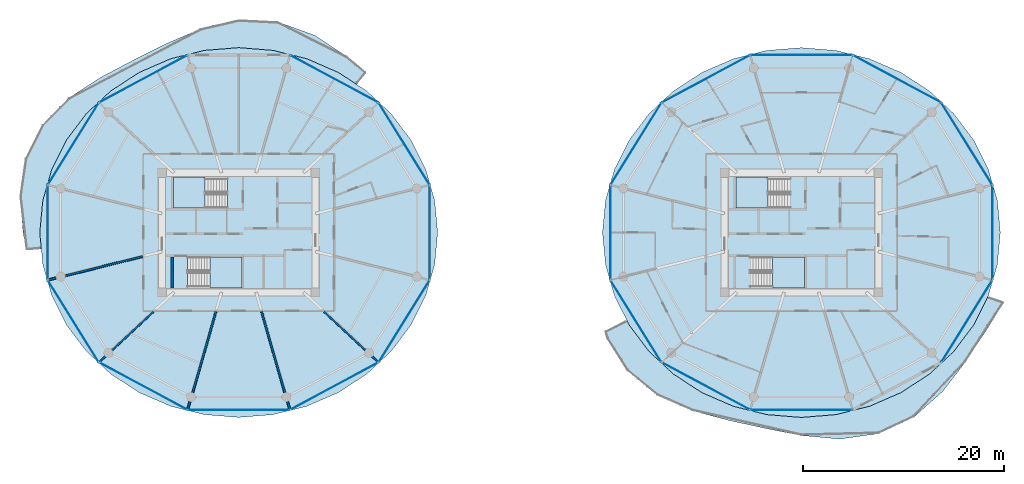
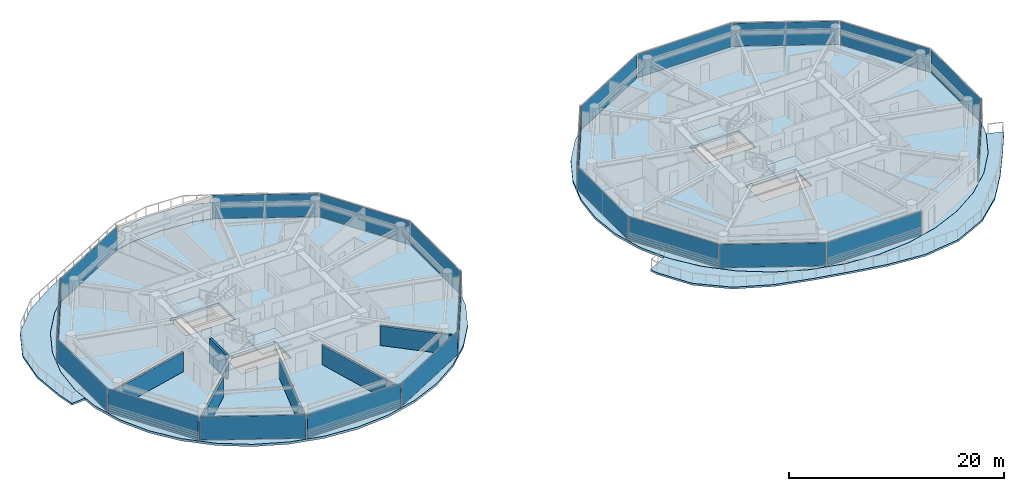
# One storey, part 14 of 26: 22 plates, 8 slabs, 6 walls, 26 elements without a shape of their own.
"""IFC4 building model written with IfcOpenShell, lengths in metres."""

from ifc_helpers import new_model, si_unit, direction, frame, frame_2d, origin, origin_2d, place, context, subcontext, project, spatial, polyline, rectangle, outline, extrude, source, transform, mapped, material, layer, layer_set, type_object, type_shapes, element, aggregate, save


model = new_model("IFC4")

# Units and contexts
model_context = context("Model", 3, precision=1e-05, world=origin(), true_north=direction((0.0, 1.0)))
body_context = subcontext(model_context, "Body", "Model", "MODEL_VIEW")
ifc_project = project(units=[si_unit("LENGTHUNIT", "METRE"), si_unit("AREAUNIT", "SQUARE_METRE"), si_unit("VOLUMEUNIT", "CUBIC_METRE"), si_unit("PLANEANGLEUNIT", "RADIAN"), si_unit("MASSUNIT", "GRAM", prefix="KILO")], contexts=[model_context])

# Site, building, storey
site_placement = place(None, origin())
site = spatial("IfcSite", under=ifc_project, at=site_placement, CompositionType="ELEMENT")
building_placement = place(site_placement, origin())
building = spatial("IfcBuilding", under=site, at=building_placement, Name="Norrkilde Senior Care Towers", CompositionType="ELEMENT")
storey_placement = place(building_placement, frame((0.0, 0.0, 24.64990234375)))
storey = spatial("IfcBuildingStorey", under=building, at=storey_placement, Name="L06", CompositionType="ELEMENT", Elevation=24.64990234375)

# Slabs
ifc_material_1 = material(Name="Concrete C50/60", Category="concrete")
ifc_layer_1 = layer(ifc_material_1, 0.215087890625)
ifc_layer_set_1 = layer_set([ifc_layer_1], Name="Concrete C50/60")
slab_type_1 = type_object("IfcSlabType", Name="Sinusoidal Balcony Ribbon Slab 215", PredefinedType="FLOOR", material=ifc_layer_set_1)
slab_1_placement = place(storey_placement, frame((0.0, 0.0, -0.21484375)))
element("IfcSlab", 1, at=slab_1_placement, inside=storey, type_object=slab_type_1, Name="L06 Drum W Swirling Senior Balcony 1", PredefinedType="FLOOR", context=body_context, shape_type="SweptSolid", body=[
    extrude(outline(polyline([(-49.771240234375, 3.626220703125), (-49.233154296875, 7.322265625), (-47.5537109375, 10.695068359375), (-44.9033203125, 13.39453125), (-41.767333984375, 15.42919921875), (-38.540283203125, 17.128173828125), (-35.274169921875, 18.775146484375), (-31.79052734375, 20.270751953125), (-28.0, 21.152099609375), (-24.096435546875, 20.95947265625), (-20.438232421875, 19.625244140625), (-17.244384765625, 17.529541015625), (-15.31298828125, 15.9228515625), (-16.255126953125, 14.740234375), (-18.097412109375, 15.939208984375), (-21.226318359375, 17.294921875), (-24.560791015625, 18.12548828125), (-28.0, 18.405029296875), (-31.439208984375, 18.12548828125), (-34.773681640625, 17.294921875), (-37.902587890625, 15.939208984375), (-40.73046875, 14.09912109375), (-43.171630859375, 11.83056640625), (-45.151611328125, 9.202392578125), (-46.610595703125, 6.294921875), (-47.504150390625, 3.196044921875), (-47.804931640625, 0.0), (-47.65185546875, -1.6259765625), (-49.1435546875, -1.74951171875), (-49.469482421875, 0.0), (-49.771240234375, 3.626220703125)])), origin(), (0.0, 0.0, 1.0), 0.21484375),
])
slab_2_placement = place(storey_placement, frame((0.0, 0.0, -0.21484375)))
element("IfcSlab", 2, at=slab_2_placement, inside=storey, type_object=slab_type_1, Name="L06 Drum E Swirling Senior Balcony 1", PredefinedType="FLOOR", context=body_context, shape_type="SweptSolid", body=[
    extrude(outline(polyline([(44.3310546875, -12.877685546875), (42.067138671875, -15.813720703125), (39.201171875, -18.35986328125), (35.69384765625, -20.015625), (31.836669921875, -20.552734375), (28.0, -20.209716796875), (24.338623046875, -19.482421875), (20.7529296875, -18.694580078125), (17.133544921875, -17.736083984375), (13.635009765625, -16.195556640625), (10.681396484375, -13.76953125), (8.66064453125, -10.561767578125), (8.442138671875, -9.834716796875), (10.616943359375, -8.7412109375), (10.848388671875, -9.202392578125), (12.828369140625, -11.83056640625), (15.26953125, -14.09912109375), (18.097412109375, -15.939208984375), (21.226318359375, -17.294921875), (24.560791015625, -18.12548828125), (28.0, -18.405029296875), (31.439208984375, -18.12548828125), (34.773681640625, -17.294921875), (37.902587890625, -15.939208984375), (40.73046875, -14.09912109375), (43.171630859375, -11.83056640625), (45.151611328125, -9.202392578125), (46.56298828125, -6.3896484375), (48.162109375, -6.940185546875), (46.297607421875, -9.91455078125), (44.3310546875, -12.877685546875)])), origin(), (0.0, 0.0, 1.0), 0.21484375),
])

# Stair, slab
ifc_material_2 = material(Name="Concrete C45/55", Category="concrete")
stair_type = type_object("IfcStairType", Name="Core Protected Dogleg Stair Typical 3050", PredefinedType="HALF_TURN_STAIR", material=ifc_material_2)
stair_1_placement = place(storey_placement, origin())
stair_1 = element("IfcStair", 3, at=stair_1_placement, inside=storey, type_object=stair_type, Name="L06 Protected Core Stair W1", PredefinedType="HALF_TURN_STAIR")
ifc_layer_2 = layer(ifc_material_2, 0.199951171875)
ifc_layer_set_2 = layer_set([ifc_layer_2], Name="Concrete C45/55")
slab_type_2 = type_object("IfcSlabType", Name="Stair Landing Slab 200", PredefinedType="LANDING", material=ifc_layer_set_2)
slab_3_placement = place(storey_placement, frame((0.0, 0.0, 1.3251953125)))
slab_3 = element("IfcSlab", 4, at=slab_3_placement, type_object=slab_type_2, Name="ST-W1 landing 1", PredefinedType="LANDING", context=body_context, shape_type="SweptSolid", body=[
    extrude(outline(polyline([(-31.340087890625, 5.52490234375), (-34.5, 5.52490234375), (-34.5, 2.449951171875), (-31.340087890625, 2.449951171875), (-31.340087890625, 5.52490234375)])), origin(), (0.0, 0.0, 1.0), 0.199951171875),
])
aggregate(stair_1, [slab_3])

stair_2_placement = place(storey_placement, origin())
stair_2 = element("IfcStair", 5, at=stair_2_placement, inside=storey, type_object=stair_type, Name="L06 Protected Core Stair W2", PredefinedType="HALF_TURN_STAIR")
slab_4_placement = place(storey_placement, frame((0.0, 0.0, 1.3251953125)))
slab_4 = element("IfcSlab", 6, at=slab_4_placement, type_object=slab_type_2, Name="ST-W2 landing 1", PredefinedType="LANDING", context=body_context, shape_type="SweptSolid", body=[
    extrude(outline(polyline([(-30.860107421875, -5.52490234375), (-27.699951171875, -5.52490234375), (-27.699951171875, -2.449951171875), (-30.860107421875, -2.449951171875), (-30.860107421875, -5.52490234375)])), origin(), (0.0, 0.0, 1.0), 0.199951171875),
])
aggregate(stair_2, [slab_4])

stair_3_placement = place(storey_placement, origin())
stair_3 = element("IfcStair", 7, at=stair_3_placement, inside=storey, type_object=stair_type, Name="L06 Protected Core Stair E1", PredefinedType="HALF_TURN_STAIR")
slab_5_placement = place(storey_placement, frame((0.0, 0.0, 1.3251953125)))
slab_5 = element("IfcSlab", 8, at=slab_5_placement, type_object=slab_type_2, Name="ST-E1 landing 1", PredefinedType="LANDING", context=body_context, shape_type="SweptSolid", body=[
    extrude(outline(polyline([(24.659912109375, 5.52490234375), (21.5, 5.52490234375), (21.5, 2.449951171875), (24.659912109375, 2.449951171875), (24.659912109375, 5.52490234375)])), origin(), (0.0, 0.0, 1.0), 0.199951171875),
])
aggregate(stair_3, [slab_5])

stair_4_placement = place(storey_placement, origin())
stair_4 = element("IfcStair", 9, at=stair_4_placement, inside=storey, type_object=stair_type, Name="L06 Protected Core Stair E2", PredefinedType="HALF_TURN_STAIR")
slab_6_placement = place(storey_placement, frame((0.0, 0.0, 1.3251953125)))
slab_6 = element("IfcSlab", 10, at=slab_6_placement, type_object=slab_type_2, Name="ST-E2 landing 1", PredefinedType="LANDING", context=body_context, shape_type="SweptSolid", body=[
    extrude(outline(polyline([(25.139892578125, -5.52490234375), (28.300048828125, -5.52490234375), (28.300048828125, -2.449951171875), (25.139892578125, -2.449951171875), (25.139892578125, -5.52490234375)])), origin(), (0.0, 0.0, 1.0), 0.199951171875),
])
aggregate(stair_4, [slab_6])

# Slabs
ifc_layer_3 = layer(ifc_material_1, 0.260009765625)
ifc_layer_set_3 = layer_set([ifc_layer_3], Name="Concrete C50/60")
slab_type_3 = type_object("IfcSlabType", Name="Tower Care Floor Slab 260", PredefinedType="FLOOR", material=ifc_layer_set_3)
slab_7_placement = place(storey_placement, frame((0.0, 0.0, -0.260009765625)))
element("IfcSlab", 11, at=slab_7_placement, inside=storey, type_object=slab_type_3, Name="L06 Drum W Structural Floor Slab", PredefinedType="FLOOR", context=body_context, shape_type="SweptSolid", body=[
    extrude(outline(polyline([(-9.39404296875, -6.293212890625), (-10.852783203125, -9.199951171875), (-12.832275390625, -11.827392578125), (-15.272705078125, -14.09521484375), (-18.10009765625, -15.934814453125), (-21.22802734375, -17.290283203125), (-24.561767578125, -18.120361328125), (-28.0, -18.39990234375), (-31.438232421875, -18.120361328125), (-34.77197265625, -17.290283203125), (-37.89990234375, -15.934814453125), (-40.727294921875, -14.09521484375), (-43.167724609375, -11.827392578125), (-45.147216796875, -9.199951171875), (-46.60595703125, -6.293212890625), (-47.499267578125, -3.195068359375), (-47.800048828125, 0.0), (-47.499267578125, 3.195068359375), (-46.60595703125, 6.293212890625), (-45.147216796875, 9.199951171875), (-43.167724609375, 11.827392578125), (-40.727294921875, 14.09521484375), (-37.89990234375, 15.934814453125), (-34.77197265625, 17.290283203125), (-31.438232421875, 18.120361328125), (-28.0, 18.39990234375), (-24.561767578125, 18.120361328125), (-21.22802734375, 17.290283203125), (-18.10009765625, 15.934814453125), (-15.272705078125, 14.09521484375), (-12.832275390625, 11.827392578125), (-10.852783203125, 9.199951171875), (-9.39404296875, 6.293212890625), (-8.500732421875, 3.195068359375), (-8.199951171875, 0.0), (-8.500732421875, -3.195068359375), (-9.39404296875, -6.293212890625)]), holes=[polyline([(-34.48193359375, 2.468017578125), (-29.117919921875, 2.468017578125), (-29.117919921875, 5.52490234375), (-34.48193359375, 5.52490234375), (-34.48193359375, 2.468017578125)]), polyline([(-27.718017578125, -5.52490234375), (-27.718017578125, -2.468017578125), (-33.08203125, -2.468017578125), (-33.08203125, -5.52490234375), (-27.718017578125, -5.52490234375)])]), origin(), (0.0, 0.0, 1.0), 0.260009765625),
])
slab_8_placement = place(storey_placement, frame((0.0, 0.0, -0.260009765625)))
element("IfcSlab", 12, at=slab_8_placement, inside=storey, type_object=slab_type_3, Name="L06 Drum E Structural Floor Slab", PredefinedType="FLOOR", context=body_context, shape_type="SweptSolid", body=[
    extrude(outline(polyline([(46.60595703125, -6.293212890625), (45.147216796875, -9.199951171875), (43.167724609375, -11.827392578125), (40.727294921875, -14.09521484375), (37.89990234375, -15.934814453125), (34.77197265625, -17.290283203125), (31.438232421875, -18.120361328125), (28.0, -18.39990234375), (24.561767578125, -18.120361328125), (21.22802734375, -17.290283203125), (18.10009765625, -15.934814453125), (15.272705078125, -14.09521484375), (12.832275390625, -11.827392578125), (10.852783203125, -9.199951171875), (9.39404296875, -6.293212890625), (8.500732421875, -3.195068359375), (8.199951171875, 0.0), (8.500732421875, 3.195068359375), (9.39404296875, 6.293212890625), (10.852783203125, 9.199951171875), (12.832275390625, 11.827392578125), (15.272705078125, 14.09521484375), (18.10009765625, 15.934814453125), (21.22802734375, 17.290283203125), (24.561767578125, 18.120361328125), (28.0, 18.39990234375), (31.438232421875, 18.120361328125), (34.77197265625, 17.290283203125), (37.89990234375, 15.934814453125), (40.727294921875, 14.09521484375), (43.167724609375, 11.827392578125), (45.147216796875, 9.199951171875), (46.60595703125, 6.293212890625), (47.499267578125, 3.195068359375), (47.800048828125, 0.0), (47.499267578125, -3.195068359375), (46.60595703125, -6.293212890625)]), holes=[polyline([(21.51806640625, 2.468017578125), (26.882080078125, 2.468017578125), (26.882080078125, 5.52490234375), (21.51806640625, 5.52490234375), (21.51806640625, 2.468017578125)]), polyline([(28.281982421875, -5.52490234375), (28.281982421875, -2.468017578125), (22.91796875, -2.468017578125), (22.91796875, -5.52490234375), (28.281982421875, -5.52490234375)])]), origin(), (0.0, 0.0, 1.0), 0.260009765625),
])

# Curtain wall, plate
ifc_material_3 = material(Name="Triple Low-E Insulated Glazing", Category="glass")
ifc_layer_4 = layer(ifc_material_3, 0.199951171875)
ifc_layer_set_4 = layer_set([ifc_layer_4], Name="Triple Low-E Insulated Glazing")
curtain_wall_type = type_object("IfcCurtainWallType", Name="CW2 Zone 1 Memory Care Curtain Wall", PredefinedType="NOTDEFINED", material=ifc_layer_set_4)
curtain_wall_1_placement = place(storey_placement, origin())
curtain_wall_1 = element("IfcCurtainWall", 13, at=curtain_wall_1_placement, inside=storey, type_object=curtain_wall_type, Name="L06 Drum W Curtain Wall 00", PredefinedType="NOTDEFINED")
ifc_layer_5 = layer(ifc_material_3, 0.035888671875)
ifc_layer_set_5 = layer_set([ifc_layer_5], Name="Triple Low-E Insulated Glazing")
plate_type = type_object("IfcPlateType", Name="Triple Low-E Vision Curtain Panel 36", PredefinedType="CURTAIN_PANEL", material=ifc_layer_set_5)
shared_shape_1 = source(origin(), body_context, "Body", "SweptSolid", [
    extrude(rectangle(XDim=9.518798828125, YDim=0.035888671875, at=origin_2d()), origin(), (0.0, 0.0, 1.0), 2.669921875),
])
plate_1_placement = place(storey_placement, frame((-11.537353515625, 8.82861328125, 0.06005859375), z_axis=(0.0, 0.0, 1.0), x_axis=(0.527900951871, -0.849305943117, 0.0)))
plate_1 = element("IfcPlate", 14, at=plate_1_placement, type_object=plate_type, Name="CW-2 panel 1.1", PredefinedType="CURTAIN_PANEL", context=body_context, shape_type="MappedRepresentation", body=[
    mapped(shared_shape_1, transform((0.0, 0.0, 0.0), x_axis=(1.0, 0.0, 0.0), y_axis=(0.0, 1.0, 0.0), z_axis=(0.0, 0.0, 1.0), scale=1.0)),
])
aggregate(curtain_wall_1, [plate_1])

curtain_wall_2_placement = place(storey_placement, origin())
curtain_wall_2 = element("IfcCurtainWall", 15, at=curtain_wall_2_placement, inside=storey, type_object=curtain_wall_type, Name="L06 Drum W Curtain Wall 04", PredefinedType="NOTDEFINED")
plate_2_placement = place(storey_placement, frame((-44.462646484375, 8.82861328125, 0.06005859375), z_axis=(0.0, 0.0, 1.0), x_axis=(0.527900951871, 0.849305943117, 0.0)))
plate_2 = element("IfcPlate", 16, at=plate_2_placement, type_object=plate_type, Name="CW-2 panel 1.1", PredefinedType="CURTAIN_PANEL", context=body_context, shape_type="MappedRepresentation", body=[
    mapped(shared_shape_1, transform((0.0, 0.0, 0.0), x_axis=(1.0, 0.0, 0.0), y_axis=(0.0, 1.0, 0.0), z_axis=(0.0, 0.0, 1.0), scale=1.0)),
])
aggregate(curtain_wall_2, [plate_2])

curtain_wall_3_placement = place(storey_placement, origin())
curtain_wall_3 = element("IfcCurtainWall", 17, at=curtain_wall_3_placement, inside=storey, type_object=curtain_wall_type, Name="L06 Drum W Curtain Wall 06", PredefinedType="NOTDEFINED")
plate_3_placement = place(storey_placement, frame((-44.462646484375, -8.82861328125, 0.06005859375), z_axis=(0.0, 0.0, 1.0), x_axis=(-0.527900951871, 0.849305943117, 0.0)))
plate_3 = element("IfcPlate", 18, at=plate_3_placement, type_object=plate_type, Name="CW-2 panel 1.1", PredefinedType="CURTAIN_PANEL", context=body_context, shape_type="MappedRepresentation", body=[
    mapped(shared_shape_1, transform((0.0, 0.0, 0.0), x_axis=(1.0, 0.0, 0.0), y_axis=(0.0, 1.0, 0.0), z_axis=(0.0, 0.0, 1.0), scale=1.0)),
])
aggregate(curtain_wall_3, [plate_3])

curtain_wall_4_placement = place(storey_placement, origin())
curtain_wall_4 = element("IfcCurtainWall", 19, at=curtain_wall_4_placement, inside=storey, type_object=curtain_wall_type, Name="L06 Drum W Curtain Wall 10", PredefinedType="NOTDEFINED")
plate_4_placement = place(storey_placement, frame((-11.537353515625, -8.82861328125, 0.06005859375), z_axis=(0.0, 0.0, 1.0), x_axis=(-0.527900951871, -0.849305943117, 0.0)))
plate_4 = element("IfcPlate", 20, at=plate_4_placement, type_object=plate_type, Name="CW-2 panel 1.1", PredefinedType="CURTAIN_PANEL", context=body_context, shape_type="MappedRepresentation", body=[
    mapped(shared_shape_1, transform((0.0, 0.0, 0.0), x_axis=(1.0, 0.0, 0.0), y_axis=(0.0, 1.0, 0.0), z_axis=(0.0, 0.0, 1.0), scale=1.0)),
])
aggregate(curtain_wall_4, [plate_4])

curtain_wall_5_placement = place(storey_placement, origin())
curtain_wall_5 = element("IfcCurtainWall", 21, at=curtain_wall_5_placement, inside=storey, type_object=curtain_wall_type, Name="L06 Drum E Curtain Wall 00", PredefinedType="NOTDEFINED")
plate_5_placement = place(storey_placement, frame((44.462646484375, 8.82861328125, 0.06005859375), z_axis=(0.0, 0.0, 1.0), x_axis=(0.527900951871, -0.849305943117, 0.0)))
plate_5 = element("IfcPlate", 22, at=plate_5_placement, type_object=plate_type, Name="CW-2 panel 1.1", PredefinedType="CURTAIN_PANEL", context=body_context, shape_type="MappedRepresentation", body=[
    mapped(shared_shape_1, transform((0.0, 0.0, 0.0), x_axis=(1.0, 0.0, 0.0), y_axis=(0.0, 1.0, 0.0), z_axis=(0.0, 0.0, 1.0), scale=1.0)),
])
aggregate(curtain_wall_5, [plate_5])

curtain_wall_6_placement = place(storey_placement, origin())
curtain_wall_6 = element("IfcCurtainWall", 23, at=curtain_wall_6_placement, inside=storey, type_object=curtain_wall_type, Name="L06 Drum E Curtain Wall 04", PredefinedType="NOTDEFINED")
plate_6_placement = place(storey_placement, frame((11.537353515625, 8.82861328125, 0.06005859375), z_axis=(0.0, 0.0, 1.0), x_axis=(0.527900951871, 0.849305943117, 0.0)))
plate_6 = element("IfcPlate", 24, at=plate_6_placement, type_object=plate_type, Name="CW-2 panel 1.1", PredefinedType="CURTAIN_PANEL", context=body_context, shape_type="MappedRepresentation", body=[
    mapped(shared_shape_1, transform((0.0, 0.0, 0.0), x_axis=(1.0, 0.0, 0.0), y_axis=(0.0, 1.0, 0.0), z_axis=(0.0, 0.0, 1.0), scale=1.0)),
])
aggregate(curtain_wall_6, [plate_6])

curtain_wall_7_placement = place(storey_placement, origin())
curtain_wall_7 = element("IfcCurtainWall", 25, at=curtain_wall_7_placement, inside=storey, type_object=curtain_wall_type, Name="L06 Drum E Curtain Wall 06", PredefinedType="NOTDEFINED")
plate_7_placement = place(storey_placement, frame((11.537353515625, -8.82861328125, 0.06005859375), z_axis=(0.0, 0.0, 1.0), x_axis=(-0.527900951871, 0.849305943117, 0.0)))
plate_7 = element("IfcPlate", 26, at=plate_7_placement, type_object=plate_type, Name="CW-2 panel 1.1", PredefinedType="CURTAIN_PANEL", context=body_context, shape_type="MappedRepresentation", body=[
    mapped(shared_shape_1, transform((0.0, 0.0, 0.0), x_axis=(1.0, 0.0, 0.0), y_axis=(0.0, 1.0, 0.0), z_axis=(0.0, 0.0, 1.0), scale=1.0)),
])
aggregate(curtain_wall_7, [plate_7])

curtain_wall_8_placement = place(storey_placement, origin())
curtain_wall_8 = element("IfcCurtainWall", 27, at=curtain_wall_8_placement, inside=storey, type_object=curtain_wall_type, Name="L06 Drum E Curtain Wall 10", PredefinedType="NOTDEFINED")
plate_8_placement = place(storey_placement, frame((44.462646484375, -8.82861328125, 0.06005859375), z_axis=(0.0, 0.0, 1.0), x_axis=(-0.527900951871, -0.849305943117, 0.0)))
plate_8 = element("IfcPlate", 28, at=plate_8_placement, type_object=plate_type, Name="CW-2 panel 1.1", PredefinedType="CURTAIN_PANEL", context=body_context, shape_type="MappedRepresentation", body=[
    mapped(shared_shape_1, transform((0.0, 0.0, 0.0), x_axis=(1.0, 0.0, 0.0), y_axis=(0.0, 1.0, 0.0), z_axis=(0.0, 0.0, 1.0), scale=1.0)),
])
aggregate(curtain_wall_8, [plate_8])

curtain_wall_9_placement = place(storey_placement, origin())
curtain_wall_9 = element("IfcCurtainWall", 29, at=curtain_wall_9_placement, inside=storey, type_object=curtain_wall_type, Name="L06 Drum W Curtain Wall 01", PredefinedType="NOTDEFINED")
shared_shape_2 = source(origin(), body_context, "Body", "SweptSolid", [
    extrude(rectangle(XDim=9.880859375, YDim=0.035888671875, at=origin_2d()), origin(), (0.0, 0.0, 1.0), 2.669921875),
])
plate_9_placement = place(storey_placement, frame((-18.495361328125, 15.29150390625, 0.06005859375), z_axis=(0.0, 0.0, 1.0), x_axis=(0.881272866403, -0.472607802456, 0.0)))
plate_9 = element("IfcPlate", 30, at=plate_9_placement, type_object=plate_type, Name="CW-2 panel 1.1", PredefinedType="CURTAIN_PANEL", context=body_context, shape_type="MappedRepresentation", body=[
    mapped(shared_shape_2, transform((0.0, 0.0, 0.0), x_axis=(1.0, 0.0, 0.0), y_axis=(0.0, 1.0, 0.0), z_axis=(0.0, 0.0, 1.0), scale=1.0)),
])
aggregate(curtain_wall_9, [plate_9])

curtain_wall_10_placement = place(storey_placement, origin())
curtain_wall_10 = element("IfcCurtainWall", 31, at=curtain_wall_10_placement, inside=storey, type_object=curtain_wall_type, Name="L06 Drum W Curtain Wall 03", PredefinedType="NOTDEFINED")
plate_10_placement = place(storey_placement, frame((-37.504638671875, 15.29150390625, 0.06005859375), z_axis=(0.0, 0.0, 1.0), x_axis=(0.881272866403, 0.472607802456, 0.0)))
plate_10 = element("IfcPlate", 32, at=plate_10_placement, type_object=plate_type, Name="CW-2 panel 1.1", PredefinedType="CURTAIN_PANEL", context=body_context, shape_type="MappedRepresentation", body=[
    mapped(shared_shape_2, transform((0.0, 0.0, 0.0), x_axis=(1.0, 0.0, 0.0), y_axis=(0.0, 1.0, 0.0), z_axis=(0.0, 0.0, 1.0), scale=1.0)),
])
aggregate(curtain_wall_10, [plate_10])

curtain_wall_11_placement = place(storey_placement, origin())
curtain_wall_11 = element("IfcCurtainWall", 33, at=curtain_wall_11_placement, inside=storey, type_object=curtain_wall_type, Name="L06 Drum W Curtain Wall 07", PredefinedType="NOTDEFINED")
plate_11_placement = place(storey_placement, frame((-37.504638671875, -15.29150390625, 0.06005859375), z_axis=(0.0, 0.0, 1.0), x_axis=(-0.881272866403, 0.472607802456, 0.0)))
plate_11 = element("IfcPlate", 34, at=plate_11_placement, type_object=plate_type, Name="CW-2 panel 1.1", PredefinedType="CURTAIN_PANEL", context=body_context, shape_type="MappedRepresentation", body=[
    mapped(shared_shape_2, transform((0.0, 0.0, 0.0), x_axis=(1.0, 0.0, 0.0), y_axis=(0.0, 1.0, 0.0), z_axis=(0.0, 0.0, 1.0), scale=1.0)),
])
aggregate(curtain_wall_11, [plate_11])

curtain_wall_12_placement = place(storey_placement, origin())
curtain_wall_12 = element("IfcCurtainWall", 35, at=curtain_wall_12_placement, inside=storey, type_object=curtain_wall_type, Name="L06 Drum W Curtain Wall 09", PredefinedType="NOTDEFINED")
plate_12_placement = place(storey_placement, frame((-18.495361328125, -15.29150390625, 0.06005859375), z_axis=(0.0, 0.0, 1.0), x_axis=(-0.881272866403, -0.472607802456, 0.0)))
plate_12 = element("IfcPlate", 36, at=plate_12_placement, type_object=plate_type, Name="CW-2 panel 1.1", PredefinedType="CURTAIN_PANEL", context=body_context, shape_type="MappedRepresentation", body=[
    mapped(shared_shape_2, transform((0.0, 0.0, 0.0), x_axis=(1.0, 0.0, 0.0), y_axis=(0.0, 1.0, 0.0), z_axis=(0.0, 0.0, 1.0), scale=1.0)),
])
aggregate(curtain_wall_12, [plate_12])

curtain_wall_13_placement = place(storey_placement, origin())
curtain_wall_13 = element("IfcCurtainWall", 37, at=curtain_wall_13_placement, inside=storey, type_object=curtain_wall_type, Name="L06 Drum E Curtain Wall 01", PredefinedType="NOTDEFINED")
plate_13_placement = place(storey_placement, frame((37.504638671875, 15.29150390625, 0.06005859375), z_axis=(0.0, 0.0, 1.0), x_axis=(0.881272866403, -0.472607802456, 0.0)))
plate_13 = element("IfcPlate", 38, at=plate_13_placement, type_object=plate_type, Name="CW-2 panel 1.1", PredefinedType="CURTAIN_PANEL", context=body_context, shape_type="MappedRepresentation", body=[
    mapped(shared_shape_2, transform((0.0, 0.0, 0.0), x_axis=(1.0, 0.0, 0.0), y_axis=(0.0, 1.0, 0.0), z_axis=(0.0, 0.0, 1.0), scale=1.0)),
])
aggregate(curtain_wall_13, [plate_13])

curtain_wall_14_placement = place(storey_placement, origin())
curtain_wall_14 = element("IfcCurtainWall", 39, at=curtain_wall_14_placement, inside=storey, type_object=curtain_wall_type, Name="L06 Drum E Curtain Wall 03", PredefinedType="NOTDEFINED")
plate_14_placement = place(storey_placement, frame((18.495361328125, 15.29150390625, 0.06005859375), z_axis=(0.0, 0.0, 1.0), x_axis=(0.881272866403, 0.472607802456, 0.0)))
plate_14 = element("IfcPlate", 40, at=plate_14_placement, type_object=plate_type, Name="CW-2 panel 1.1", PredefinedType="CURTAIN_PANEL", context=body_context, shape_type="MappedRepresentation", body=[
    mapped(shared_shape_2, transform((0.0, 0.0, 0.0), x_axis=(1.0, 0.0, 0.0), y_axis=(0.0, 1.0, 0.0), z_axis=(0.0, 0.0, 1.0), scale=1.0)),
])
aggregate(curtain_wall_14, [plate_14])

curtain_wall_15_placement = place(storey_placement, origin())
curtain_wall_15 = element("IfcCurtainWall", 41, at=curtain_wall_15_placement, inside=storey, type_object=curtain_wall_type, Name="L06 Drum E Curtain Wall 07", PredefinedType="NOTDEFINED")
plate_15_placement = place(storey_placement, frame((18.495361328125, -15.29150390625, 0.06005859375), z_axis=(0.0, 0.0, 1.0), x_axis=(-0.881272866403, 0.472607802456, 0.0)))
plate_15 = element("IfcPlate", 42, at=plate_15_placement, type_object=plate_type, Name="CW-2 panel 1.1", PredefinedType="CURTAIN_PANEL", context=body_context, shape_type="MappedRepresentation", body=[
    mapped(shared_shape_2, transform((0.0, 0.0, 0.0), x_axis=(1.0, 0.0, 0.0), y_axis=(0.0, 1.0, 0.0), z_axis=(0.0, 0.0, 1.0), scale=1.0)),
])
aggregate(curtain_wall_15, [plate_15])

curtain_wall_16_placement = place(storey_placement, origin())
curtain_wall_16 = element("IfcCurtainWall", 43, at=curtain_wall_16_placement, inside=storey, type_object=curtain_wall_type, Name="L06 Drum W Curtain Wall 05", PredefinedType="NOTDEFINED")
shared_shape_3 = source(origin(), body_context, "Body", "SweptSolid", [
    extrude(rectangle(XDim=9.33251953125, YDim=0.035888671875, at=origin_2d()), origin(), (0.0, 0.0, 1.0), 2.669921875),
])
plate_16_placement = place(storey_placement, frame((-47.009521484375, 0.0, 0.06005859375), z_axis=(0.0, 0.0, 1.0), x_axis=(0.0, 1.0, 0.0)))
plate_16 = element("IfcPlate", 44, at=plate_16_placement, type_object=plate_type, Name="CW-2 panel 1.1", PredefinedType="CURTAIN_PANEL", context=body_context, shape_type="MappedRepresentation", body=[
    mapped(shared_shape_3, transform((0.0, 0.0, 0.0), x_axis=(1.0, 0.0, 0.0), y_axis=(0.0, 1.0, 0.0), z_axis=(0.0, 0.0, 1.0), scale=1.0)),
])
aggregate(curtain_wall_16, [plate_16])

curtain_wall_17_placement = place(storey_placement, origin())
curtain_wall_17 = element("IfcCurtainWall", 45, at=curtain_wall_17_placement, inside=storey, type_object=curtain_wall_type, Name="L06 Drum W Curtain Wall 11", PredefinedType="NOTDEFINED")
plate_17_placement = place(storey_placement, frame((-8.990478515625, 0.0, 0.06005859375), z_axis=(0.0, 0.0, 1.0), x_axis=(0.0, -1.0, 0.0)))
plate_17 = element("IfcPlate", 46, at=plate_17_placement, type_object=plate_type, Name="CW-2 panel 1.1", PredefinedType="CURTAIN_PANEL", context=body_context, shape_type="MappedRepresentation", body=[
    mapped(shared_shape_3, transform((0.0, 0.0, 0.0), x_axis=(1.0, 0.0, 0.0), y_axis=(0.0, 1.0, 0.0), z_axis=(0.0, 0.0, 1.0), scale=1.0)),
])
aggregate(curtain_wall_17, [plate_17])

curtain_wall_18_placement = place(storey_placement, origin())
curtain_wall_18 = element("IfcCurtainWall", 47, at=curtain_wall_18_placement, inside=storey, type_object=curtain_wall_type, Name="L06 Drum E Curtain Wall 05", PredefinedType="NOTDEFINED")
plate_18_placement = place(storey_placement, frame((8.990478515625, 0.0, 0.06005859375), z_axis=(0.0, 0.0, 1.0), x_axis=(0.0, 1.0, 0.0)))
plate_18 = element("IfcPlate", 48, at=plate_18_placement, type_object=plate_type, Name="CW-2 panel 1.1", PredefinedType="CURTAIN_PANEL", context=body_context, shape_type="MappedRepresentation", body=[
    mapped(shared_shape_3, transform((0.0, 0.0, 0.0), x_axis=(1.0, 0.0, 0.0), y_axis=(0.0, 1.0, 0.0), z_axis=(0.0, 0.0, 1.0), scale=1.0)),
])
aggregate(curtain_wall_18, [plate_18])

curtain_wall_19_placement = place(storey_placement, origin())
curtain_wall_19 = element("IfcCurtainWall", 49, at=curtain_wall_19_placement, inside=storey, type_object=curtain_wall_type, Name="L06 Drum E Curtain Wall 11", PredefinedType="NOTDEFINED")
plate_19_placement = place(storey_placement, frame((47.009521484375, 0.0, 0.06005859375), z_axis=(0.0, 0.0, 1.0), x_axis=(0.0, -1.0, 0.0)))
plate_19 = element("IfcPlate", 50, at=plate_19_placement, type_object=plate_type, Name="CW-2 panel 1.1", PredefinedType="CURTAIN_PANEL", context=body_context, shape_type="MappedRepresentation", body=[
    mapped(shared_shape_3, transform((0.0, 0.0, 0.0), x_axis=(1.0, 0.0, 0.0), y_axis=(0.0, 1.0, 0.0), z_axis=(0.0, 0.0, 1.0), scale=1.0)),
])
aggregate(curtain_wall_19, [plate_19])

curtain_wall_20_placement = place(storey_placement, origin())
curtain_wall_20 = element("IfcCurtainWall", 51, at=curtain_wall_20_placement, inside=storey, type_object=curtain_wall_type, Name="L06 Drum W Curtain Wall 08", PredefinedType="NOTDEFINED")
shared_shape_4 = source(origin(), body_context, "Body", "SweptSolid", [
    extrude(rectangle(XDim=10.05712890625, YDim=0.035888671875, at=origin_2d()), origin(), (0.0, 0.0, 1.0), 2.669921875),
])
type_shapes(plate_type, [shared_shape_1, shared_shape_2, shared_shape_3, shared_shape_4])
plate_20_placement = place(storey_placement, frame((-28.0, -17.6572265625, 0.06005859375), z_axis=(0.0, 0.0, 1.0), x_axis=(-1.0, 0.0, 0.0)))
plate_20 = element("IfcPlate", 52, at=plate_20_placement, type_object=plate_type, Name="CW-2 panel 1.1", PredefinedType="CURTAIN_PANEL", context=body_context, shape_type="MappedRepresentation", body=[
    mapped(shared_shape_4, transform((0.0, 0.0, 0.0), x_axis=(1.0, 0.0, 0.0), y_axis=(0.0, 1.0, 0.0), z_axis=(0.0, 0.0, 1.0), scale=1.0)),
])
aggregate(curtain_wall_20, [plate_20])

curtain_wall_21_placement = place(storey_placement, origin())
curtain_wall_21 = element("IfcCurtainWall", 53, at=curtain_wall_21_placement, inside=storey, type_object=curtain_wall_type, Name="L06 Drum E Curtain Wall 02", PredefinedType="NOTDEFINED")
plate_21_placement = place(storey_placement, frame((28.0, 17.6572265625, 0.06005859375), z_axis=(0.0, 0.0, 1.0), x_axis=(1.0, 0.0, 0.0)))
plate_21 = element("IfcPlate", 54, at=plate_21_placement, type_object=plate_type, Name="CW-2 panel 1.1", PredefinedType="CURTAIN_PANEL", context=body_context, shape_type="MappedRepresentation", body=[
    mapped(shared_shape_4, transform((0.0, 0.0, 0.0), x_axis=(1.0, 0.0, 0.0), y_axis=(0.0, 1.0, 0.0), z_axis=(0.0, 0.0, 1.0), scale=1.0)),
])
aggregate(curtain_wall_21, [plate_21])

curtain_wall_22_placement = place(storey_placement, origin())
curtain_wall_22 = element("IfcCurtainWall", 55, at=curtain_wall_22_placement, inside=storey, type_object=curtain_wall_type, Name="L06 Drum E Curtain Wall 08", PredefinedType="NOTDEFINED")
plate_22_placement = place(storey_placement, frame((28.0, -17.6572265625, 0.06005859375), z_axis=(0.0, 0.0, 1.0), x_axis=(-1.0, 0.0, 0.0)))
plate_22 = element("IfcPlate", 56, at=plate_22_placement, type_object=plate_type, Name="CW-2 panel 1.1", PredefinedType="CURTAIN_PANEL", context=body_context, shape_type="MappedRepresentation", body=[
    mapped(shared_shape_4, transform((0.0, 0.0, 0.0), x_axis=(1.0, 0.0, 0.0), y_axis=(0.0, 1.0, 0.0), z_axis=(0.0, 0.0, 1.0), scale=1.0)),
])
aggregate(curtain_wall_22, [plate_22])

# Walls
ifc_layer_6 = layer(ifc_material_2, 0.239990234375)
ifc_layer_set_6 = layer_set([ifc_layer_6], Name="Concrete C45/55")
wall_type_1 = type_object("IfcWallType", Name="Shaft and Stair Enclosure Wall 240", PredefinedType="PARTITIONING", material=ifc_layer_set_6)
shared_shape_5 = source(origin(), body_context, "Body", "SweptSolid", [
    extrude(rectangle(XDim=3.074951171875, YDim=0.239990234375, at=frame_2d((1.53759765625, 0.0))), origin(), (0.0, 0.0, 1.0), 2.7900390625),
])
type_shapes(wall_type_1, [shared_shape_5])
wall_1_placement = place(storey_placement, frame((-34.6201171875, -5.52490234375, 0.0), z_axis=(0.0, 0.0, 1.0), x_axis=(0.0, 1.0, 0.0)))
element("IfcWall", 57, at=wall_1_placement, inside=storey, type_object=wall_type_1, Name="WL-INT-L06-W-ST2W", PredefinedType="PARTITIONING", context=body_context, shape_type="MappedRepresentation", body=[
    mapped(shared_shape_5, transform((0.0, 0.0, 0.0), x_axis=(1.0, 0.0, 0.0), y_axis=(0.0, 1.0, 0.0), z_axis=(0.0, 0.0, 1.0), scale=1.0)),
])
ifc_material_4 = material(Name="Gypsum Acoustic Board")
ifc_layer_7 = layer(ifc_material_4, 0.18994140625)
ifc_layer_set_7 = layer_set([ifc_layer_7], Name="Gypsum Acoustic Board")
wall_type_2 = type_object("IfcWallType", Name="Unit Demising Acoustic Wall 190", PredefinedType="PARTITIONING", material=ifc_layer_set_7)
shared_shape_6 = source(origin(), body_context, "Body", "SweptSolid", [
    extrude(rectangle(XDim=7.4345703125, YDim=0.18994140625, at=frame_2d((3.71728515625, 0.0))), origin(), (0.0, 0.0, 1.0), 2.22509765625),
])
for number, where, z_axis, x_axis, name in (
    (58, (-36.48291015625, -7.8798828125, 0.0), (0.0, 0.0, 1.0), (-0.732651956848, -0.680603489652, 0.0), "WL-INT-L06-W-DEM-07-0"),
    (59, (-19.51708984375, -7.8798828125, 0.0), (0.0, 0.0, 1.0), (0.732651956848, -0.680603489652, 0.0), "WL-INT-L06-W-DEM-10-0"),
):
    element("IfcWall", number, at=place(storey_placement, frame(where, z_axis=z_axis, x_axis=x_axis)), inside=storey, type_object=wall_type_2, Name=name, PredefinedType="PARTITIONING", context=body_context, shape_type="MappedRepresentation", body=[
        mapped(shared_shape_6, transform((0.0, 0.0, 0.0), x_axis=(1.0, 0.0, 0.0), y_axis=(0.0, 1.0, 0.0), z_axis=(0.0, 0.0, 1.0), scale=1.0)),
    ])
shared_shape_7 = source(origin(), body_context, "Body", "SweptSolid", [
    extrude(rectangle(XDim=10.196044921875, YDim=0.18994140625, at=frame_2d((5.09814453125, 0.0))), origin(), (0.0, 0.0, 1.0), 2.22509765625),
])
for number, where, z_axis, x_axis, name in (
    (60, (-30.27294921875, -7.8798828125, 0.0), (0.0, 0.0, 1.0), (-0.277136420347, -0.960830580549, 0.0), "WL-INT-L06-W-DEM-08-0"),
    (61, (-25.72705078125, -7.8798828125, 0.0), (0.0, 0.0, 1.0), (0.277136420347, -0.960830580549, 0.0), "WL-INT-L06-W-DEM-09-0"),
):
    element("IfcWall", number, at=place(storey_placement, frame(where, z_axis=z_axis, x_axis=x_axis)), inside=storey, type_object=wall_type_2, Name=name, PredefinedType="PARTITIONING", context=body_context, shape_type="MappedRepresentation", body=[
        mapped(shared_shape_7, transform((0.0, 0.0, 0.0), x_axis=(1.0, 0.0, 0.0), y_axis=(0.0, 1.0, 0.0), z_axis=(0.0, 0.0, 1.0), scale=1.0)),
    ])
shared_shape_8 = source(origin(), body_context, "Body", "SweptSolid", [
    extrude(rectangle(XDim=9.737060546875, YDim=0.18994140625, at=frame_2d((4.86865234375, 0.0))), origin(), (0.0, 0.0, 1.0), 2.22509765625),
])
type_shapes(wall_type_2, [shared_shape_6, shared_shape_7, shared_shape_8])
wall_2_placement = place(storey_placement, frame((-37.580078125, -2.384521484375, 0.0), z_axis=(0.0, 0.0, 1.0), x_axis=(-0.970392716238, -0.241532557375, 0.0)))
element("IfcWall", 62, at=wall_2_placement, inside=storey, type_object=wall_type_2, Name="WL-INT-L06-W-DEM-06-0", PredefinedType="PARTITIONING", context=body_context, shape_type="MappedRepresentation", body=[
    mapped(shared_shape_8, transform((0.0, 0.0, 0.0), x_axis=(1.0, 0.0, 0.0), y_axis=(0.0, 1.0, 0.0), z_axis=(0.0, 0.0, 1.0), scale=1.0)),
])

save(model, "model.ifc")
